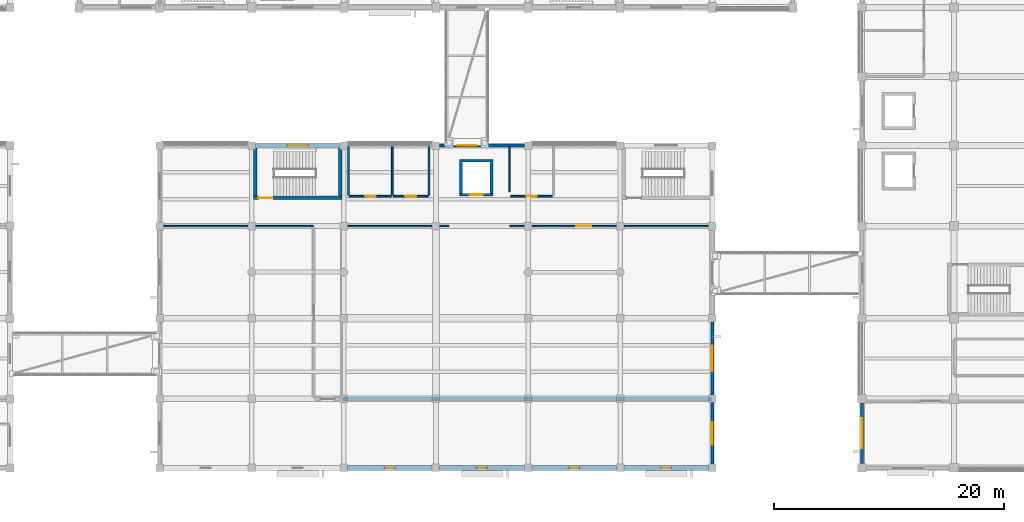
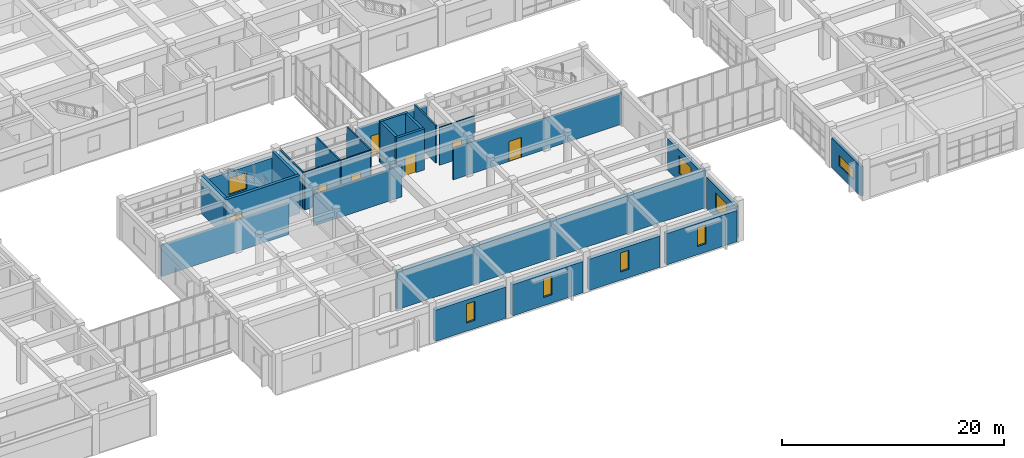
# One storey, part 49 of 70: 27 walls, 8 windows, 7 doors, 15 openings.
"""IFC4 building model written with IfcOpenShell, lengths in metres."""

from ifc_helpers import new_model, si_unit, direction, frame, frame_2d, origin, place, context, subcontext, project, spatial, rectangle, extrude, material, layer, layer_set, type_object, element, fill, save


model = new_model("IFC4")

# Units and contexts
model_context = context("Model", 3, precision=1e-05, world=origin(), true_north=direction((0.0, 1.0)))
body_context = subcontext(model_context, "Body", "Model", "MODEL_VIEW")
ifc_project = project(units=[si_unit("LENGTHUNIT", "METRE"), si_unit("AREAUNIT", "SQUARE_METRE"), si_unit("VOLUMEUNIT", "CUBIC_METRE"), si_unit("PLANEANGLEUNIT", "RADIAN"), si_unit("MASSUNIT", "GRAM", prefix="KILO")], contexts=[model_context])

# Site, building, storey
site_placement = place(None, origin())
site = spatial("IfcSite", under=ifc_project, at=site_placement, CompositionType="ELEMENT")
building_placement = place(site_placement, origin())
building = spatial("IfcBuilding", under=site, at=building_placement, Name="Naurynzar Civic Courthouse", CompositionType="ELEMENT")
storey_placement = place(building_placement, frame((0.0, 0.0, 5.39990234375)))
storey = spatial("IfcBuildingStorey", under=building, at=storey_placement, Name="L02", CompositionType="ELEMENT", Elevation=5.39990234375)

# Wall, opening, door
ifc_material_1 = material(Name="Concrete C40/50", Category="concrete")
ifc_layer_1 = layer(ifc_material_1, 0.300048828125)
ifc_layer_set_1 = layer_set([ifc_layer_1], Name="WL-CORE-300")
wall_type_1 = type_object("IfcWallType", Name="WL-CORE-300", PredefinedType="SHEAR", material=ifc_layer_set_1)
wall_1_placement = place(storey_placement, frame((77.14990234375, 27.449951171875, 0.0), z_axis=(0.0, 0.0, 1.0), x_axis=(1.0, 0.0, 0.0)))
wall_1 = element("IfcWall", 1, at=wall_1_placement, inside=storey, type_object=wall_type_1, Name="Stair ST-V3A enclosure wall south L02", PredefinedType="SHEAR", context=body_context, shape_type="SweptSolid", body=[
    extrude(rectangle(XDim=7.7001953125, YDim=0.300048828125, at=frame_2d((3.85009765625, 0.0))), origin(), (0.0, 0.0, 1.0), 4.16015625),
])
opening_1_placement = place(wall_1_placement, frame((0.425048828125, 0.0, 0.0)))
opening_1 = element("IfcOpeningElement", 2, at=opening_1_placement, cuts=wall_1, Name="Opening SD-047", PredefinedType="OPENING", context=body_context, shape_type="SweptSolid", body=[
    extrude(rectangle(XDim=1.25, YDim=2.14990234375, at=frame_2d((0.625, 1.074951171875))), frame((0.0, 0.159912109375, 0.0), z_axis=(0.0, -1.0, 0.0), x_axis=(1.0, 0.0, 0.0)), (0.0, 0.0, 1.0), 0.320068359375),
])
ifc_material_2 = material(Name="Powder-Coated Galvanised Steel", Category="steel")
door_type_1 = type_object("IfcDoorType", Name="DR-STAIR-1250x2150", OperationType="NOTDEFINED", PredefinedType="DOOR", material=ifc_material_2)
door_1_placement = place(opening_1_placement, origin())
door_1 = element("IfcDoor", 3, at=door_1_placement, inside=storey, type_object=door_type_1, Name="Stair ST-V3A fire door L02", OperationType="SINGLE_SWING_LEFT", OverallHeight=2.14990234375, OverallWidth=1.25, PredefinedType="DOOR", context=body_context, shape_type="SweptSolid", body=[
    extrude(rectangle(XDim=1.25, YDim=2.14990234375, at=frame_2d((0.625, 1.074951171875))), frame((0.0, 0.02490234375, 0.0), z_axis=(0.0, -1.0, 0.0), x_axis=(1.0, 0.0, 0.0)), (0.0, 0.0, 1.0), 0.050048828125),
])
fill(opening_1, door_1)

# Walls
for number, where, z_axis, x_axis, name in (
    (4, (77.300048828125, 31.804931640625, 0.0), (0.0, 0.0, 1.0), (0.0, -1.0, 0.0), "Stair ST-V3A enclosure wall west L02"),
    (5, (84.699951171875, 27.60498046875, 0.0), (0.0, 0.0, 1.0), (0.0, 1.0, 0.0), "Stair ST-V3A enclosure wall east L02"),
):
    element("IfcWall", number, at=place(storey_placement, frame(where, z_axis=z_axis, x_axis=x_axis)), inside=storey, type_object=wall_type_1, Name=name, PredefinedType="SHEAR", context=body_context, shape_type="SweptSolid", body=[
        extrude(rectangle(XDim=4.199951171875, YDim=0.300048828125, at=frame_2d((2.10009765625, 0.0))), origin(), (0.0, 0.0, 1.0), 4.16015625),
    ])
ifc_material_3 = material(Name="Concrete C40/50", Category="concrete")
ifc_layer_2 = layer(ifc_material_3, 0.35009765625)
ifc_layer_set_2 = layer_set([ifc_layer_2], Name="WL-CORE-350")
wall_type_2 = type_object("IfcWallType", Name="WL-CORE-350", PredefinedType="SHEAR", material=ifc_layer_set_2)
wall_2_placement = place(storey_placement, frame((84.8798828125, 10.0, 0.0), z_axis=(0.0, 0.0, 1.0), x_axis=(1.0, 0.0, 0.0)))
element("IfcWall", 6, at=wall_2_placement, inside=storey, type_object=wall_type_2, Name="V3 interior partition L02.192", PredefinedType="SHEAR", context=body_context, shape_type="SweptSolid", body=[
    extrude(rectangle(XDim=32.0400390625, YDim=0.35009765625, at=frame_2d((16.02001953125, 0.0))), origin(), (0.0, 0.0, 1.0), 4.14013671875),
])

# Wall, opening, door
ifc_material_4 = material(Name="Precast concrete C40/50", Category="concrete")
ifc_layer_3 = layer(ifc_material_4, 0.260009765625)
ifc_layer_set_3 = layer_set([ifc_layer_3], Name="WL-EXT-260")
wall_type_3 = type_object("IfcWallType", Name="WL-EXT-260", PredefinedType="SOLIDWALL", material=ifc_layer_set_3)
wall_3_placement = place(storey_placement, frame((93.324951171875, 32.0, 0.0), z_axis=(0.0, 0.0, 1.0), x_axis=(1.0, 0.0, 0.0)))
wall_3 = element("IfcWall", 7, at=wall_3_placement, inside=storey, type_object=wall_type_3, Name="V3 exterior wall north L02.4.1", PredefinedType="SOLIDWALL", context=body_context, shape_type="SweptSolid", body=[
    extrude(rectangle(XDim=7.35009765625, YDim=0.260009765625, at=frame_2d((3.675048828125, 0.0))), origin(), (0.0, 0.0, 1.0), 3.440185546875),
])
opening_2_placement = place(wall_3_placement, frame((1.550048828125, 0.0, 0.0)))
opening_2 = element("IfcOpeningElement", 8, at=opening_2_placement, cuts=wall_3, Name="Opening BD-20", PredefinedType="OPENING", context=body_context, shape_type="SweptSolid", body=[
    extrude(rectangle(XDim=1.64990234375, YDim=2.199951171875, at=frame_2d((0.824951171875, 1.10009765625))), frame((0.0, 0.139892578125, 0.0), z_axis=(0.0, -1.0, 0.0), x_axis=(1.0, 0.0, 0.0)), (0.0, 0.0, 1.0), 0.280029296875),
])
ifc_material_5 = material(Name="Aluminium 6063-T6", Category="aluminium")
door_type_2 = type_object("IfcDoorType", Name="DR-BRG-1650x2200", OperationType="DOUBLE_DOOR_SINGLE_SWING", PredefinedType="DOOR", material=ifc_material_5)
door_2_placement = place(opening_2_placement, origin())
door_2 = element("IfcDoor", 9, at=door_2_placement, inside=storey, type_object=door_type_2, Name="Seismic bridge fire door BD-20", OperationType="DOUBLE_DOOR_SINGLE_SWING", OverallHeight=2.199951171875, OverallWidth=1.64990234375, PredefinedType="DOOR", context=body_context, shape_type="SweptSolid", body=[
    extrude(rectangle(XDim=1.64990234375, YDim=2.199951171875, at=frame_2d((0.824951171875, 1.10009765625))), frame((0.0, 0.02490234375, 0.0), z_axis=(0.0, -1.0, 0.0), x_axis=(1.0, 0.0, 0.0)), (0.0, 0.0, 1.0), 0.050048828125),
])
fill(opening_2, door_2)

# Wall, opening, window
wall_4_placement = place(storey_placement, frame((117.0, 16.675048828125, 0.0), z_axis=(0.0, 0.0, 1.0), x_axis=(0.0, -1.0, 0.0)))
wall_4 = element("IfcWall", 10, at=wall_4_placement, inside=storey, type_object=wall_type_3, Name="V3 exterior wall east L02.3.1", PredefinedType="SOLIDWALL", context=body_context, shape_type="SweptSolid", body=[
    extrude(rectangle(XDim=6.35009765625, YDim=0.260009765625, at=frame_2d((3.175048828125, 0.0))), origin(), (0.0, 0.0, 1.0), 3.440185546875),
])
opening_3_placement = place(wall_4_placement, frame((2.074951171875, 0.0, 0.89990234375)))
opening_3 = element("IfcOpeningElement", 11, at=opening_3_placement, cuts=wall_4, Name="Opening WN-11", PredefinedType="OPENING", context=body_context, shape_type="SweptSolid", body=[
    extrude(rectangle(XDim=2.199951171875, YDim=1.89990234375, at=frame_2d((1.10009765625, 0.949951171875))), frame((0.0, 0.139892578125, 0.0), z_axis=(0.0, -1.0, 0.0), x_axis=(1.0, 0.0, 0.0)), (0.0, 0.0, 1.0), 0.280029296875),
])
ifc_material_6 = material(Name="Tempered Laminated Low-E Glass", Category="glass")
window_type_1 = type_object("IfcWindowType", Name="WIN-LIB-READ-2200x1900", PartitioningType="DOUBLE_PANEL_VERTICAL", PredefinedType="WINDOW", material=ifc_material_6)
window_1_placement = place(opening_3_placement, origin())
window_1 = element("IfcWindow", 12, at=window_1_placement, inside=storey, type_object=window_type_1, Name="V3 window 159 L02", OverallHeight=1.89990234375, OverallWidth=2.199951171875, PartitioningType="SINGLE_PANEL", PredefinedType="WINDOW", context=body_context, shape_type="SweptSolid", body=[
    extrude(rectangle(XDim=2.199951171875, YDim=1.89990234375, at=frame_2d((1.10009765625, 0.949951171875))), frame((0.0, 0.030029296875, 0.0), z_axis=(0.0, -1.0, 0.0), x_axis=(1.0, 0.0, 0.0)), (0.0, 0.0, 1.0), 0.06005859375),
])
fill(opening_3, window_1)

wall_5_placement = place(storey_placement, frame((117.0, 9.675048828125, 0.0), z_axis=(0.0, 0.0, 1.0), x_axis=(0.0, -1.0, 0.0)))
wall_5 = element("IfcWall", 13, at=wall_5_placement, inside=storey, type_object=wall_type_3, Name="V3 exterior wall east L02.4.1", PredefinedType="SOLIDWALL", context=body_context, shape_type="SweptSolid", body=[
    extrude(rectangle(XDim=5.35009765625, YDim=0.260009765625, at=frame_2d((2.675048828125, 0.0))), origin(), (0.0, 0.0, 1.0), 3.440185546875),
])
opening_4_placement = place(wall_5_placement, frame((1.699951171875, 0.0, 0.89990234375)))
opening_4 = element("IfcOpeningElement", 14, at=opening_4_placement, cuts=wall_5, Name="Opening WN-12", PredefinedType="OPENING", context=body_context, shape_type="SweptSolid", body=[
    extrude(rectangle(XDim=1.949951171875, YDim=1.85009765625, at=frame_2d((0.97509765625, 0.925048828125))), frame((0.0, 0.139892578125, 0.0), z_axis=(0.0, -1.0, 0.0), x_axis=(1.0, 0.0, 0.0)), (0.0, 0.0, 1.0), 0.280029296875),
])
ifc_material_7 = material(Name="Tempered Laminated Low-E Glass", Category="glass")
window_type_2 = type_object("IfcWindowType", Name="WIN-LIB-READ-1950x1850", PartitioningType="DOUBLE_PANEL_VERTICAL", PredefinedType="WINDOW", material=ifc_material_7)
window_2_placement = place(opening_4_placement, origin())
window_2 = element("IfcWindow", 15, at=window_2_placement, inside=storey, type_object=window_type_2, Name="V3 window 160 L02", OverallHeight=1.85009765625, OverallWidth=1.949951171875, PartitioningType="SINGLE_PANEL", PredefinedType="WINDOW", context=body_context, shape_type="SweptSolid", body=[
    extrude(rectangle(XDim=1.949951171875, YDim=1.85009765625, at=frame_2d((0.97509765625, 0.925048828125))), frame((0.0, 0.030029296875, 0.0), z_axis=(0.0, -1.0, 0.0), x_axis=(1.0, 0.0, 0.0)), (0.0, 0.0, 1.0), 0.06005859375),
])
fill(opening_4, window_2)

wall_6_placement = place(storey_placement, frame((130.0, 4.375, 0.0), z_axis=(0.0, 0.0, 1.0), x_axis=(0.0, 1.0, 0.0)))
wall_6 = element("IfcWall", 16, at=wall_6_placement, inside=storey, type_object=wall_type_3, Name="V5 exterior wall west L02.1.1", PredefinedType="SOLIDWALL", context=body_context, shape_type="SweptSolid", body=[
    extrude(rectangle(XDim=5.25, YDim=0.260009765625, at=frame_2d((2.625, 0.0))), origin(), (0.0, 0.0, 1.0), 3.22998046875),
])
opening_5_placement = place(wall_6_placement, frame((1.324951171875, 0.0, 1.0)))
opening_5 = element("IfcOpeningElement", 17, at=opening_5_placement, cuts=wall_6, Name="Opening WN-17", PredefinedType="OPENING", context=body_context, shape_type="SweptSolid", body=[
    extrude(rectangle(XDim=2.60009765625, YDim=1.10009765625, at=frame_2d((1.300048828125, 0.550048828125))), frame((0.0, 0.139892578125, 0.0), z_axis=(0.0, -1.0, 0.0), x_axis=(1.0, 0.0, 0.0)), (0.0, 0.0, 1.0), 0.280029296875),
])
ifc_material_8 = material(Name="Tempered Laminated Low-E Glass", Category="glass")
window_type_3 = type_object("IfcWindowType", Name="WIN-CLER-2600x1100", PartitioningType="DOUBLE_PANEL_VERTICAL", PredefinedType="WINDOW", material=ifc_material_8)
window_3_placement = place(opening_5_placement, origin())
window_3 = element("IfcWindow", 18, at=window_3_placement, inside=storey, type_object=window_type_3, Name="V5 window 262 L02", OverallHeight=1.10009765625, OverallWidth=2.60009765625, PartitioningType="SINGLE_PANEL", PredefinedType="WINDOW", context=body_context, shape_type="SweptSolid", body=[
    extrude(rectangle(XDim=2.60009765625, YDim=1.10009765625, at=frame_2d((1.300048828125, 0.550048828125))), frame((0.0, 0.030029296875, 0.0), z_axis=(0.0, -1.0, 0.0), x_axis=(1.0, 0.0, 0.0)), (0.0, 0.0, 1.0), 0.06005859375),
])
fill(opening_5, window_3)

# Walls
ifc_material_9 = material(Name="Fire-Rated Corridor Gypsum Partition")
ifc_layer_4 = layer(ifc_material_9, 0.14990234375)
ifc_layer_set_4 = layer_set([ifc_layer_4], Name="WL-PART-CORR-150")
wall_type_4 = type_object("IfcWallType", Name="WL-PART-CORR-150", PredefinedType="PARTITIONING", material=ifc_layer_set_4)
wall_7_placement = place(storey_placement, frame((69.080078125, 25.0, 0.0), z_axis=(0.0, 0.0, 1.0), x_axis=(1.0, 0.0, 0.0)))
element("IfcWall", 19, at=wall_7_placement, inside=storey, type_object=wall_type_4, Name="V3 interior partition L02.201", PredefinedType="PARTITIONING", context=body_context, shape_type="SweptSolid", body=[
    extrude(rectangle(XDim=13.239990234375, YDim=0.14990234375, at=frame_2d((6.6201171875, 0.0))), origin(), (0.0, 0.0, 1.0), 3.460205078125),
])
ifc_material_10 = material(Name="Metal-Stud Gypsum Partition")
ifc_layer_5 = layer(ifc_material_10, 0.125)
ifc_layer_set_5 = layer_set([ifc_layer_5], Name="WL-PART-STD-125")
wall_type_5 = type_object("IfcWallType", Name="WL-PART-STD-125", PredefinedType="PARTITIONING", material=ifc_layer_set_5)
wall_8_placement = place(storey_placement, frame((84.8798828125, 25.0, 0.0), z_axis=(0.0, 0.0, 1.0), x_axis=(1.0, 0.0, 0.0)))
element("IfcWall", 20, at=wall_8_placement, inside=storey, type_object=wall_type_5, Name="V3 interior partition L02.202", PredefinedType="PARTITIONING", context=body_context, shape_type="SweptSolid", body=[
    extrude(rectangle(XDim=9.22021484375, YDim=0.125, at=frame_2d((4.610107421875, 0.0))), origin(), (0.0, 0.0, 1.0), 3.460205078125),
])

# Wall, opening, door
wall_9_placement = place(storey_placement, frame((99.39990234375, 25.0, 0.0), z_axis=(0.0, 0.0, 1.0), x_axis=(1.0, 0.0, 0.0)))
wall_9 = element("IfcWall", 21, at=wall_9_placement, inside=storey, type_object=wall_type_5, Name="V3 interior partition L02.203", PredefinedType="PARTITIONING", context=body_context, shape_type="SweptSolid", body=[
    extrude(rectangle(XDim=17.52001953125, YDim=0.125, at=frame_2d((8.760009765625, 0.0))), origin(), (0.0, 0.0, 1.0), 3.460205078125),
])
opening_6_placement = place(wall_9_placement, frame((5.7890625, 0.0, 0.0)))
opening_6 = element("IfcOpeningElement", 22, at=opening_6_placement, cuts=wall_9, Name="Opening D-235", PredefinedType="OPENING", context=body_context, shape_type="SweptSolid", body=[
    extrude(rectangle(XDim=1.280029296875, YDim=2.199951171875, at=frame_2d((0.64013671875, 1.10009765625))), frame((0.0, 0.072509765625, 0.0), z_axis=(0.0, -1.0, 0.0), x_axis=(1.0, 0.0, 0.0)), (0.0, 0.0, 1.0), 0.14501953125),
])
ifc_material_11 = material(Name="Acoustic Oak Timber Grade A", Category="wood")
door_type_3 = type_object("IfcDoorType", Name="DR-SUITE-1280x2200", OperationType="NOTDEFINED", PredefinedType="DOOR", material=ifc_material_11)
door_3_placement = place(opening_6_placement, origin())
door_3 = element("IfcDoor", 23, at=door_3_placement, inside=storey, type_object=door_type_3, Name="Interior door D-235 (Advocates' Legal Study Room)", OperationType="SINGLE_SWING_LEFT", OverallHeight=2.199951171875, OverallWidth=1.280029296875, PredefinedType="DOOR", context=body_context, shape_type="SweptSolid", body=[
    extrude(rectangle(XDim=1.280029296875, YDim=2.199951171875, at=frame_2d((0.64013671875, 1.10009765625))), frame((0.0, 0.02490234375, 0.0), z_axis=(0.0, -1.0, 0.0), x_axis=(1.0, 0.0, 0.0)), (0.0, 0.0, 1.0), 0.050048828125),
])
fill(opening_6, door_3)

ifc_material_12 = material(Name="Moisture-Resistant Plumbing Partition")
ifc_layer_6 = layer(ifc_material_12, 0.139892578125)
ifc_layer_set_6 = layer_set([ifc_layer_6], Name="WL-PART-WC-140")
wall_type_6 = type_object("IfcWallType", Name="WL-PART-WC-140", PredefinedType="PLUMBINGWALL", material=ifc_layer_set_6)
wall_10_placement = place(storey_placement, frame((85.47998046875, 27.60009765625, 0.0), z_axis=(0.0, 0.0, 1.0), x_axis=(1.0, 0.0, 0.0)))
wall_10 = element("IfcWall", 24, at=wall_10_placement, inside=storey, type_object=wall_type_6, Name="V3 interior partition L02.207", PredefinedType="PLUMBINGWALL", context=body_context, shape_type="SweptSolid", body=[
    extrude(rectangle(XDim=3.64013671875, YDim=0.139892578125, at=frame_2d((1.820068359375, 0.0))), origin(), (0.0, 0.0, 1.0), 4.14013671875),
])
opening_7_placement = place(wall_10_placement, frame((1.360107421875, 0.0, 0.0)))
opening_7 = element("IfcOpeningElement", 25, at=opening_7_placement, cuts=wall_10, Name="Opening D-231", PredefinedType="OPENING", context=body_context, shape_type="SweptSolid", body=[
    extrude(rectangle(XDim=0.919921875, YDim=2.10009765625, at=frame_2d((0.4599609375, 1.050048828125))), frame((0.0, 0.079833984375, 0.0), z_axis=(0.0, -1.0, 0.0), x_axis=(1.0, 0.0, 0.0)), (0.0, 0.0, 1.0), 0.159912109375),
])
ifc_material_13 = material(Name="Acoustic Oak Timber Grade A", Category="wood")
door_type_4 = type_object("IfcDoorType", Name="DR-WC-STD-920x2100", OperationType="NOTDEFINED", PredefinedType="DOOR", material=ifc_material_13)
door_4_placement = place(opening_7_placement, origin())
door_4 = element("IfcDoor", 26, at=door_4_placement, inside=storey, type_object=door_type_4, Name="Interior door D-231 (Public WC V3)", OperationType="SINGLE_SWING_LEFT", OverallHeight=2.10009765625, OverallWidth=0.919921875, PredefinedType="DOOR", context=body_context, shape_type="SweptSolid", body=[
    extrude(rectangle(XDim=0.919921875, YDim=2.10009765625, at=frame_2d((0.4599609375, 1.050048828125))), frame((0.0, 0.02490234375, 0.0), z_axis=(0.0, -1.0, 0.0), x_axis=(1.0, 0.0, 0.0)), (0.0, 0.0, 1.0), 0.050048828125),
])
fill(opening_7, door_4)

wall_11_placement = place(storey_placement, frame((89.280029296875, 27.60009765625, 0.0), z_axis=(0.0, 0.0, 1.0), x_axis=(1.0, 0.0, 0.0)))
wall_11 = element("IfcWall", 27, at=wall_11_placement, inside=storey, type_object=wall_type_6, Name="V3 interior partition L02.208", PredefinedType="PLUMBINGWALL", context=body_context, shape_type="SweptSolid", body=[
    extrude(rectangle(XDim=3.0400390625, YDim=0.139892578125, at=frame_2d((1.52001953125, 0.0))), origin(), (0.0, 0.0, 1.0), 4.14013671875),
])
opening_8_placement = place(wall_11_placement, frame((1.0400390625, 0.0, 0.0)))
opening_8 = element("IfcOpeningElement", 28, at=opening_8_placement, cuts=wall_11, Name="Opening D-232", PredefinedType="OPENING", context=body_context, shape_type="SweptSolid", body=[
    extrude(rectangle(XDim=0.9599609375, YDim=2.10009765625, at=frame_2d((0.47998046875, 1.050048828125))), frame((0.0, 0.079833984375, 0.0), z_axis=(0.0, -1.0, 0.0), x_axis=(1.0, 0.0, 0.0)), (0.0, 0.0, 1.0), 0.159912109375),
])
ifc_material_14 = material(Name="Acoustic Oak Timber Grade A", Category="wood")
door_type_5 = type_object("IfcDoorType", Name="DR-WC-ACC-960x2100", OperationType="NOTDEFINED", PredefinedType="DOOR", material=ifc_material_14)
door_5_placement = place(opening_8_placement, origin())
door_5 = element("IfcDoor", 29, at=door_5_placement, inside=storey, type_object=door_type_5, Name="Interior door D-232 (Accessible WC V3)", OperationType="SINGLE_SWING_RIGHT", OverallHeight=2.10009765625, OverallWidth=0.9599609375, PredefinedType="DOOR", context=body_context, shape_type="SweptSolid", body=[
    extrude(rectangle(XDim=0.9599609375, YDim=2.10009765625, at=frame_2d((0.47998046875, 1.050048828125))), frame((0.0, 0.02490234375, 0.0), z_axis=(0.0, -1.0, 0.0), x_axis=(1.0, 0.0, 0.0)), (0.0, 0.0, 1.0), 0.050048828125),
])
fill(opening_8, door_5)

wall_12_placement = place(storey_placement, frame((99.47998046875, 27.60009765625, 0.0), z_axis=(0.0, 0.0, 1.0), x_axis=(1.0, 0.0, 0.0)))
wall_12 = element("IfcWall", 30, at=wall_12_placement, inside=storey, type_object=wall_type_6, Name="V3 interior partition L02.209", PredefinedType="PLUMBINGWALL", context=body_context, shape_type="SweptSolid", body=[
    extrude(rectangle(XDim=3.64013671875, YDim=0.139892578125, at=frame_2d((1.820068359375, 0.0))), origin(), (0.0, 0.0, 1.0), 4.14013671875),
])
opening_9_placement = place(wall_12_placement, frame((1.360107421875, 0.0, 0.0)))
opening_9 = element("IfcOpeningElement", 31, at=opening_9_placement, cuts=wall_12, Name="Opening D-233", PredefinedType="OPENING", context=body_context, shape_type="SweptSolid", body=[
    extrude(rectangle(XDim=0.919921875, YDim=2.10009765625, at=frame_2d((0.4599609375, 1.050048828125))), frame((0.0, 0.079833984375, 0.0), z_axis=(0.0, -1.0, 0.0), x_axis=(1.0, 0.0, 0.0)), (0.0, 0.0, 1.0), 0.159912109375),
])
door_6_placement = place(opening_9_placement, origin())
door_6 = element("IfcDoor", 32, at=door_6_placement, inside=storey, type_object=door_type_4, Name="Interior door D-233 (Staff WC V3)", OperationType="SINGLE_SWING_LEFT", OverallHeight=2.10009765625, OverallWidth=0.919921875, PredefinedType="DOOR", context=body_context, shape_type="SweptSolid", body=[
    extrude(rectangle(XDim=0.919921875, YDim=2.10009765625, at=frame_2d((0.4599609375, 1.050048828125))), frame((0.0, 0.02490234375, 0.0), z_axis=(0.0, -1.0, 0.0), x_axis=(1.0, 0.0, 0.0)), (0.0, 0.0, 1.0), 0.050048828125),
])
fill(opening_9, door_6)

# Walls
for number, where, z_axis, x_axis, name in (
    (33, (85.39990234375, 27.679931640625, 0.0), (0.0, 0.0, 1.0), (0.0, 1.0, 0.0), "V3 interior partition L02.279"),
    (34, (89.199951171875, 27.679931640625, 0.0), (0.0, 0.0, 1.0), (0.0, 1.0, 0.0), "V3 interior partition L02.280"),
    (35, (92.39990234375, 27.679931640625, 0.0), (0.0, 0.0, 1.0), (0.0, 1.0, 0.0), "V3 interior partition L02.282"),
):
    element("IfcWall", number, at=place(storey_placement, frame(where, z_axis=z_axis, x_axis=x_axis)), inside=storey, type_object=wall_type_6, Name=name, PredefinedType="PLUMBINGWALL", context=body_context, shape_type="SweptSolid", body=[
        extrude(rectangle(XDim=4.239990234375, YDim=0.139892578125, at=frame_2d((2.1201171875, 0.0))), origin(), (0.0, 0.0, 1.0), 4.14013671875),
    ])
wall_13_placement = place(storey_placement, frame((99.39990234375, 28.0, 0.0), z_axis=(0.0, 0.0, 1.0), x_axis=(0.0, 1.0, 0.0)))
element("IfcWall", 36, at=wall_13_placement, inside=storey, type_object=wall_type_6, Name="V3 interior partition L02.286", PredefinedType="PLUMBINGWALL", context=body_context, shape_type="SweptSolid", body=[
    extrude(rectangle(XDim=3.919921875, YDim=0.139892578125, at=frame_2d((1.9599609375, 0.0))), origin(), (0.0, 0.0, 1.0), 4.14013671875),
])

# Wall, opening, window
ifc_material_15 = material(Name="Concrete C40/50", Category="concrete")
ifc_layer_7 = layer(ifc_material_15, 0.3798828125)
ifc_layer_set_7 = layer_set([ifc_layer_7], Name="WL-RET-380")
wall_type_7 = type_object("IfcWallType", Name="WL-RET-380", PredefinedType="STANDARD", material=ifc_layer_set_7)
wall_14_placement = place(storey_placement, frame((77.324951171875, 32.0, 0.0), z_axis=(0.0, 0.0, 1.0), x_axis=(1.0, 0.0, 0.0)))
wall_14 = element("IfcWall", 37, at=wall_14_placement, inside=storey, type_object=wall_type_7, Name="V3 exterior wall north L02.2.1", PredefinedType="STANDARD", context=body_context, shape_type="SweptSolid", body=[
    extrude(rectangle(XDim=7.35009765625, YDim=0.3798828125, at=frame_2d((3.675048828125, 0.0))), origin(), (0.0, 0.0, 1.0), 3.440185546875),
])
opening_10_placement = place(wall_14_placement, frame((2.75, 0.0, 0.949951171875)))
opening_10 = element("IfcOpeningElement", 38, at=opening_10_placement, cuts=wall_14, Name="Opening WM-13", PredefinedType="OPENING", context=body_context, shape_type="SweptSolid", body=[
    extrude(rectangle(XDim=1.85009765625, YDim=1.800048828125, at=frame_2d((0.925048828125, 0.89990234375))), frame((0.0, 0.199951171875, 0.0), z_axis=(0.0, -1.0, 0.0), x_axis=(1.0, 0.0, 0.0)), (0.0, 0.0, 1.0), 0.39990234375),
])
ifc_material_16 = material(Name="Tempered Laminated Low-E Glass", Category="glass")
window_type_4 = type_object("IfcWindowType", Name="WIN-MOD-1850x1800", PartitioningType="DOUBLE_PANEL_VERTICAL", PredefinedType="WINDOW", material=ifc_material_16)
window_4_placement = place(opening_10_placement, origin())
window_4 = element("IfcWindow", 39, at=window_4_placement, inside=storey, type_object=window_type_4, Name="Modular glazed window 13", OverallHeight=1.800048828125, OverallWidth=1.85009765625, PartitioningType="SINGLE_PANEL", PredefinedType="WINDOW", context=body_context, shape_type="SweptSolid", body=[
    extrude(rectangle(XDim=1.85009765625, YDim=1.800048828125, at=frame_2d((0.925048828125, 0.89990234375))), frame((0.0, 0.030029296875, 0.0), z_axis=(0.0, -1.0, 0.0), x_axis=(1.0, 0.0, 0.0)), (0.0, 0.0, 1.0), 0.06005859375),
])
fill(opening_10, window_4)

# Wall, opening, door
ifc_material_17 = material(Name="Concrete C40/50", Category="concrete")
ifc_layer_8 = layer(ifc_material_17, 0.25)
ifc_layer_set_8 = layer_set([ifc_layer_8], Name="WL-SHAFT-250")
wall_type_8 = type_object("IfcWallType", Name="WL-SHAFT-250", PredefinedType="SHEAR", material=ifc_layer_set_8)
wall_15_placement = place(storey_placement, frame((95.050048828125, 27.72509765625, 0.0), z_axis=(0.0, 0.0, 1.0), x_axis=(1.0, 0.0, 0.0)))
wall_15 = element("IfcWall", 40, at=wall_15_placement, inside=storey, type_object=wall_type_8, Name="Lift LP-04 shaft wall south L02", PredefinedType="SHEAR", context=body_context, shape_type="SweptSolid", body=[
    extrude(rectangle(XDim=2.89990234375, YDim=0.25, at=frame_2d((1.449951171875, 0.0))), origin(), (0.0, 0.0, 1.0), 4.5),
])
opening_11_placement = place(wall_15_placement, frame((0.89990234375, 0.0, 0.0)))
opening_11 = element("IfcOpeningElement", 41, at=opening_11_placement, cuts=wall_15, Name="Opening LD-063", PredefinedType="OPENING", context=body_context, shape_type="SweptSolid", body=[
    extrude(rectangle(XDim=1.10009765625, YDim=2.14990234375, at=frame_2d((0.550048828125, 1.074951171875))), frame((0.0, 0.135009765625, 0.0), z_axis=(0.0, -1.0, 0.0), x_axis=(1.0, 0.0, 0.0)), (0.0, 0.0, 1.0), 0.27001953125),
])
ifc_material_18 = material(Name="Brushed Stainless Steel 304", Category="steel")
door_type_6 = type_object("IfcDoorType", Name="DR-LIFT-SLIDE-1100x2150", OperationType="DOUBLE_DOOR_SLIDING", PredefinedType="DOOR", material=ifc_material_18)
door_7_placement = place(opening_11_placement, origin())
door_7 = element("IfcDoor", 42, at=door_7_placement, inside=storey, type_object=door_type_6, Name="Lift LP-04 sliding landing door L02", OperationType="DOUBLE_DOOR_SLIDING", OverallHeight=2.14990234375, OverallWidth=1.10009765625, PredefinedType="DOOR", context=body_context, shape_type="SweptSolid", body=[
    extrude(rectangle(XDim=1.10009765625, YDim=2.14990234375, at=frame_2d((0.550048828125, 1.074951171875))), frame((0.0, 0.02490234375, 0.0), z_axis=(0.0, -1.0, 0.0), x_axis=(1.0, 0.0, 0.0)), (0.0, 0.0, 1.0), 0.050048828125),
])
fill(opening_11, door_7)

# Walls
wall_16_placement = place(storey_placement, frame((97.949951171875, 30.675048828125, 0.0), z_axis=(0.0, 0.0, 1.0), x_axis=(-1.0, 0.0, 0.0)))
element("IfcWall", 43, at=wall_16_placement, inside=storey, type_object=wall_type_8, Name="Lift LP-04 shaft wall north L02", PredefinedType="SHEAR", context=body_context, shape_type="SweptSolid", body=[
    extrude(rectangle(XDim=2.89990234375, YDim=0.25, at=frame_2d((1.449951171875, 0.0))), origin(), (0.0, 0.0, 1.0), 4.5),
])
for number, where, z_axis, x_axis, name in (
    (44, (95.175048828125, 30.544921875, 0.0), (0.0, 0.0, 1.0), (0.0, -1.0, 0.0), "Lift LP-04 shaft wall west L02"),
    (45, (97.824951171875, 27.85498046875, 0.0), (0.0, 0.0, 1.0), (0.0, 1.0, 0.0), "Lift LP-04 shaft wall east L02"),
):
    element("IfcWall", number, at=place(storey_placement, frame(where, z_axis=z_axis, x_axis=x_axis)), inside=storey, type_object=wall_type_8, Name=name, PredefinedType="SHEAR", context=body_context, shape_type="SweptSolid", body=[
        extrude(rectangle(XDim=2.68994140625, YDim=0.25, at=frame_2d((1.344970703125, 0.0))), origin(), (0.0, 0.0, 1.0), 4.5),
    ])

# Wall, opening, window
ifc_material_19 = material(Name="Concrete C40/50", Category="concrete")
ifc_layer_9 = layer(ifc_material_19, 0.419921875)
ifc_layer_set_9 = layer_set([ifc_layer_9], Name="WL-STACK-420")
wall_type_9 = type_object("IfcWallType", Name="WL-STACK-420", PredefinedType="SOLIDWALL", material=ifc_layer_set_9)
wall_17_placement = place(storey_placement, frame((116.675048828125, 4.0, 0.0), z_axis=(0.0, 0.0, 1.0), x_axis=(-1.0, 0.0, 0.0)))
wall_17 = element("IfcWall", 46, at=wall_17_placement, inside=storey, type_object=wall_type_9, Name="V3 exterior wall south L02.1.1", PredefinedType="SOLIDWALL", context=body_context, shape_type="SweptSolid", body=[
    extrude(rectangle(XDim=7.35009765625, YDim=0.419921875, at=frame_2d((3.675048828125, 0.0))), origin(), (0.0, 0.0, 1.0), 3.440185546875),
])
opening_12_placement = place(wall_17_placement, frame((3.22509765625, 0.0, 0.89990234375)))
opening_12 = element("IfcOpeningElement", 47, at=opening_12_placement, cuts=wall_17, Name="Opening WN-10", PredefinedType="OPENING", context=body_context, shape_type="SweptSolid", body=[
    extrude(rectangle(XDim=0.89990234375, YDim=2.10009765625, at=frame_2d((0.449951171875, 1.050048828125))), frame((0.0, 0.219970703125, 0.0), z_axis=(0.0, -1.0, 0.0), x_axis=(1.0, 0.0, 0.0)), (0.0, 0.0, 1.0), 0.43994140625),
])
ifc_material_20 = material(Name="Tempered Laminated Low-E Glass", Category="glass")
window_type_5 = type_object("IfcWindowType", Name="WIN-LIB-SLOT-900x2100", PartitioningType="SINGLE_PANEL", PredefinedType="WINDOW", material=ifc_material_20)
window_5_placement = place(opening_12_placement, origin())
window_5 = element("IfcWindow", 48, at=window_5_placement, inside=storey, type_object=window_type_5, Name="V3 window 161 L02", OverallHeight=2.10009765625, OverallWidth=0.89990234375, PartitioningType="SINGLE_PANEL", PredefinedType="WINDOW", context=body_context, shape_type="SweptSolid", body=[
    extrude(rectangle(XDim=0.89990234375, YDim=2.10009765625, at=frame_2d((0.449951171875, 1.050048828125))), frame((0.0, 0.030029296875, 0.0), z_axis=(0.0, -1.0, 0.0), x_axis=(1.0, 0.0, 0.0)), (0.0, 0.0, 1.0), 0.06005859375),
])
fill(opening_12, window_5)

wall_18_placement = place(storey_placement, frame((108.675048828125, 4.0, 0.0), z_axis=(0.0, 0.0, 1.0), x_axis=(-1.0, 0.0, 0.0)))
wall_18 = element("IfcWall", 49, at=wall_18_placement, inside=storey, type_object=wall_type_9, Name="V3 exterior wall south L02.2.1", PredefinedType="SOLIDWALL", context=body_context, shape_type="SweptSolid", body=[
    extrude(rectangle(XDim=7.35009765625, YDim=0.419921875, at=frame_2d((3.675048828125, 0.0))), origin(), (0.0, 0.0, 1.0), 3.440185546875),
])
opening_13_placement = place(wall_18_placement, frame((3.22509765625, 0.0, 0.89990234375)))
opening_13 = element("IfcOpeningElement", 50, at=opening_13_placement, cuts=wall_18, Name="Opening WN-10", PredefinedType="OPENING", context=body_context, shape_type="SweptSolid", body=[
    extrude(rectangle(XDim=0.89990234375, YDim=2.10009765625, at=frame_2d((0.449951171875, 1.050048828125))), frame((0.0, 0.219970703125, 0.0), z_axis=(0.0, -1.0, 0.0), x_axis=(1.0, 0.0, 0.0)), (0.0, 0.0, 1.0), 0.43994140625),
])
window_6_placement = place(opening_13_placement, origin())
window_6 = element("IfcWindow", 51, at=window_6_placement, inside=storey, type_object=window_type_5, Name="V3 window 162 L02", OverallHeight=2.10009765625, OverallWidth=0.89990234375, PartitioningType="SINGLE_PANEL", PredefinedType="WINDOW", context=body_context, shape_type="SweptSolid", body=[
    extrude(rectangle(XDim=0.89990234375, YDim=2.10009765625, at=frame_2d((0.449951171875, 1.050048828125))), frame((0.0, 0.030029296875, 0.0), z_axis=(0.0, -1.0, 0.0), x_axis=(1.0, 0.0, 0.0)), (0.0, 0.0, 1.0), 0.06005859375),
])
fill(opening_13, window_6)

wall_19_placement = place(storey_placement, frame((100.675048828125, 4.0, 0.0), z_axis=(0.0, 0.0, 1.0), x_axis=(-1.0, 0.0, 0.0)))
wall_19 = element("IfcWall", 52, at=wall_19_placement, inside=storey, type_object=wall_type_9, Name="V3 exterior wall south L02.3.1", PredefinedType="SOLIDWALL", context=body_context, shape_type="SweptSolid", body=[
    extrude(rectangle(XDim=7.35009765625, YDim=0.419921875, at=frame_2d((3.675048828125, 0.0))), origin(), (0.0, 0.0, 1.0), 3.440185546875),
])
opening_14_placement = place(wall_19_placement, frame((3.22509765625, 0.0, 0.89990234375)))
opening_14 = element("IfcOpeningElement", 53, at=opening_14_placement, cuts=wall_19, Name="Opening WN-10", PredefinedType="OPENING", context=body_context, shape_type="SweptSolid", body=[
    extrude(rectangle(XDim=0.89990234375, YDim=2.10009765625, at=frame_2d((0.449951171875, 1.050048828125))), frame((0.0, 0.219970703125, 0.0), z_axis=(0.0, -1.0, 0.0), x_axis=(1.0, 0.0, 0.0)), (0.0, 0.0, 1.0), 0.43994140625),
])
window_7_placement = place(opening_14_placement, origin())
window_7 = element("IfcWindow", 54, at=window_7_placement, inside=storey, type_object=window_type_5, Name="V3 window 163 L02", OverallHeight=2.10009765625, OverallWidth=0.89990234375, PartitioningType="SINGLE_PANEL", PredefinedType="WINDOW", context=body_context, shape_type="SweptSolid", body=[
    extrude(rectangle(XDim=0.89990234375, YDim=2.10009765625, at=frame_2d((0.449951171875, 1.050048828125))), frame((0.0, 0.030029296875, 0.0), z_axis=(0.0, -1.0, 0.0), x_axis=(1.0, 0.0, 0.0)), (0.0, 0.0, 1.0), 0.06005859375),
])
fill(opening_14, window_7)

wall_20_placement = place(storey_placement, frame((92.675048828125, 4.0, 0.0), z_axis=(0.0, 0.0, 1.0), x_axis=(-1.0, 0.0, 0.0)))
wall_20 = element("IfcWall", 55, at=wall_20_placement, inside=storey, type_object=wall_type_9, Name="V3 exterior wall south L02.4.1", PredefinedType="SOLIDWALL", context=body_context, shape_type="SweptSolid", body=[
    extrude(rectangle(XDim=7.35009765625, YDim=0.419921875, at=frame_2d((3.675048828125, 0.0))), origin(), (0.0, 0.0, 1.0), 3.440185546875),
])
opening_15_placement = place(wall_20_placement, frame((3.22509765625, 0.0, 0.89990234375)))
opening_15 = element("IfcOpeningElement", 56, at=opening_15_placement, cuts=wall_20, Name="Opening WN-10", PredefinedType="OPENING", context=body_context, shape_type="SweptSolid", body=[
    extrude(rectangle(XDim=0.89990234375, YDim=2.10009765625, at=frame_2d((0.449951171875, 1.050048828125))), frame((0.0, 0.219970703125, 0.0), z_axis=(0.0, -1.0, 0.0), x_axis=(1.0, 0.0, 0.0)), (0.0, 0.0, 1.0), 0.43994140625),
])
window_8_placement = place(opening_15_placement, origin())
window_8 = element("IfcWindow", 57, at=window_8_placement, inside=storey, type_object=window_type_5, Name="V3 window 164 L02", OverallHeight=2.10009765625, OverallWidth=0.89990234375, PartitioningType="SINGLE_PANEL", PredefinedType="WINDOW", context=body_context, shape_type="SweptSolid", body=[
    extrude(rectangle(XDim=0.89990234375, YDim=2.10009765625, at=frame_2d((0.449951171875, 1.050048828125))), frame((0.0, 0.030029296875, 0.0), z_axis=(0.0, -1.0, 0.0), x_axis=(1.0, 0.0, 0.0)), (0.0, 0.0, 1.0), 0.06005859375),
])
fill(opening_15, window_8)

save(model, "model.ifc")
